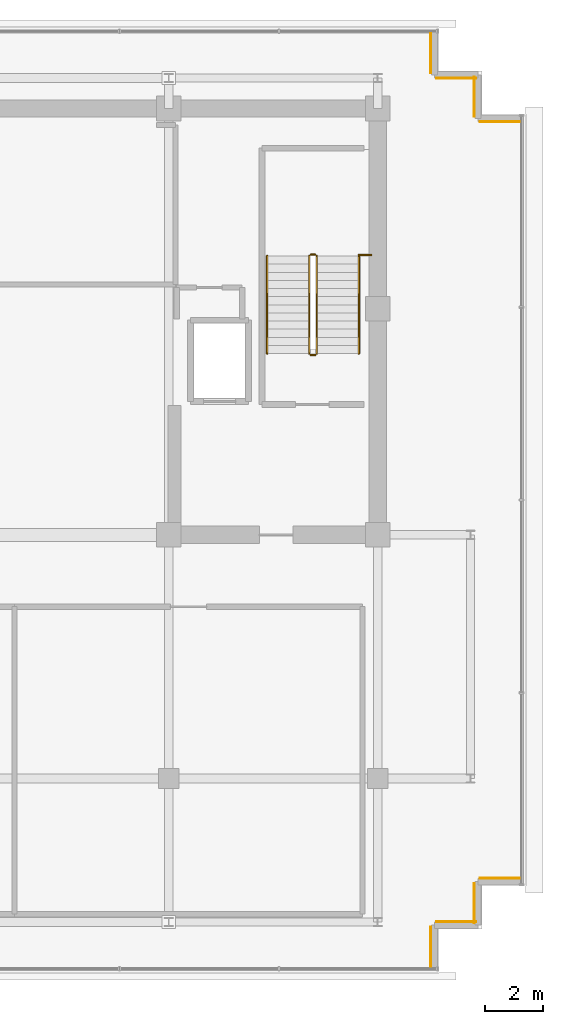
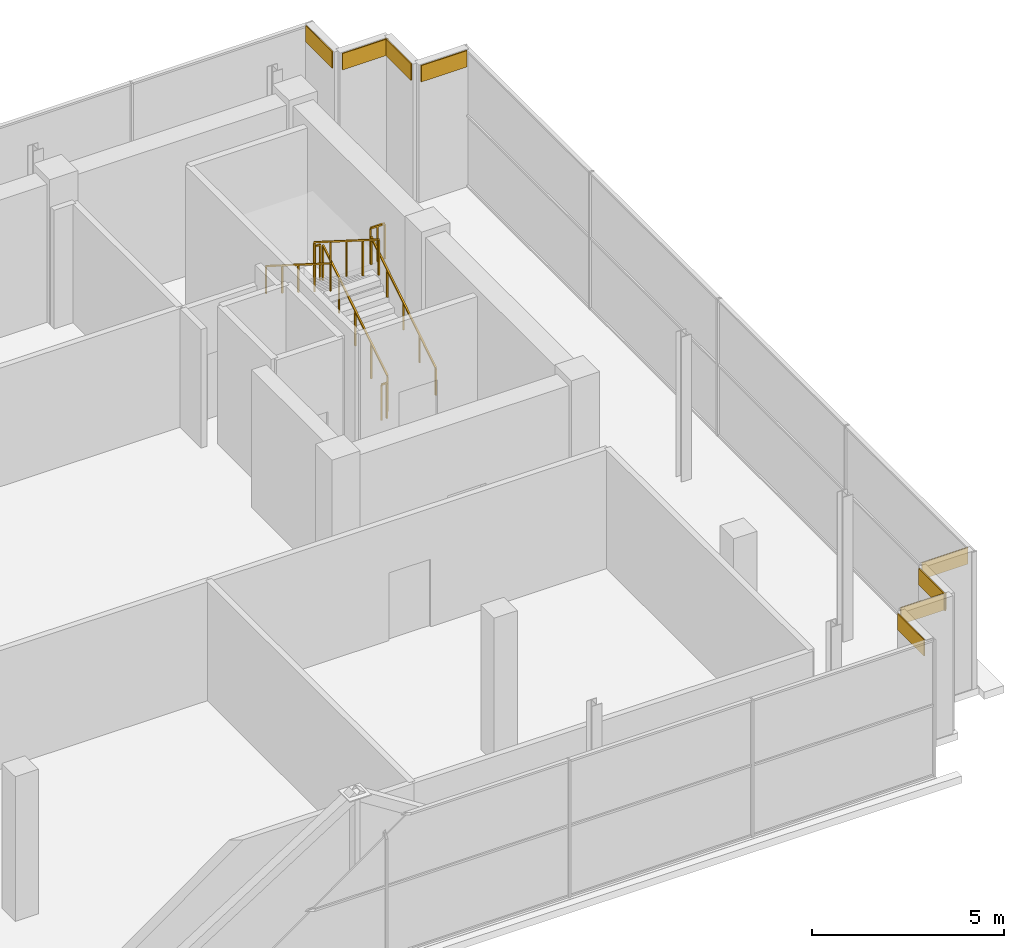
# One storey, part 26 of 26: 8 coverings, 7 railings.
"""IFC4 building model written with IfcOpenShell, lengths in metres."""

from ifc_helpers import new_model, si_unit, direction, frame, origin, origin_2d, place, context, subcontext, project, spatial, rectangle, extrude, source, transform, mapped, material, layer, layer_set, type_object, element, save


model = new_model("IFC4")

# Units and contexts
model_context = context("Model", 3, precision=1e-05, world=origin(), true_north=direction((0.0, 1.0)))
body_context = subcontext(model_context, "Body", "Model", "MODEL_VIEW")
ifc_project = project(units=[si_unit("LENGTHUNIT", "METRE"), si_unit("AREAUNIT", "SQUARE_METRE"), si_unit("VOLUMEUNIT", "CUBIC_METRE"), si_unit("PLANEANGLEUNIT", "RADIAN"), si_unit("MASSUNIT", "GRAM", prefix="KILO")], contexts=[model_context])

# Site, building, storey
site_placement = place(None, origin())
site = spatial("IfcSite", under=ifc_project, at=site_placement, CompositionType="ELEMENT")
building_placement = place(site_placement, origin())
building = spatial("IfcBuilding", under=site, at=building_placement, Name="Zarnakvel Exchange Tower", CompositionType="ELEMENT")
storey_placement = place(building_placement, frame((0.0, 0.0, 280.800048828125)))
storey = spatial("IfcBuildingStorey", under=building, at=storey_placement, Name="Crown L79", CompositionType="ELEMENT", Elevation=280.800048828125)

# Railings
ifc_material_1 = material(Name="Brushed Stainless Steel", Category="steel")
railing_type_1 = type_object("IfcRailingType", Name="HR-01", PredefinedType="HANDRAIL", material=ifc_material_1)
railing_1_placement = place(storey_placement, frame((13.75, 5.050048828125, 0.1767578125)))
element("IfcRailing", 1, at=railing_1_placement, inside=storey, type_object=railing_type_1, Name="Crown L79 ST-02 stair handrail 1", PredefinedType="HANDRAIL", context=body_context, shape_type="SweptSolid", body=[
    extrude(rectangle(XDim=0.048095703125, YDim=0.048095703125, at=origin_2d()), frame((0.0, 0.0, 0.8759765625), z_axis=(0.0, 0.845344368971, 0.534221768416), x_axis=(-1.0, 0.0, 0.0)), (0.0, 0.0, 1.0), 3.974609375),
    extrude(rectangle(XDim=0.0419921875, YDim=0.0419921875, at=origin_2d()), origin(), (0.0, 0.0, 1.0), 0.851806640625),
    extrude(rectangle(XDim=0.0419921875, YDim=0.0419921875, at=origin_2d()), frame((0.0, 0.83984375, 0.53076171875)), (0.0, 0.0, 1.0), 0.851806640625),
    extrude(rectangle(XDim=0.0419921875, YDim=0.0419921875, at=origin_2d()), frame((0.0, 1.679931640625, 1.0615234375)), (0.0, 0.0, 1.0), 0.851806640625),
    extrude(rectangle(XDim=0.0419921875, YDim=0.0419921875, at=origin_2d()), frame((0.0, 2.52001953125, 1.592529296875)), (0.0, 0.0, 1.0), 0.851806640625),
    extrude(rectangle(XDim=0.0419921875, YDim=0.0419921875, at=origin_2d()), frame((0.0, 3.35986328125, 2.123291015625)), (0.0, 0.0, 1.0), 0.851806640625),
])
railing_2_placement = place(storey_placement, frame((10.590087890625, 8.409912109375, 2.476806640625)))
element("IfcRailing", 2, at=railing_2_placement, inside=storey, type_object=railing_type_1, Name="Crown L79 ST-02 stair handrail 2", PredefinedType="HANDRAIL", context=body_context, shape_type="SweptSolid", body=[
    extrude(rectangle(XDim=0.048095703125, YDim=0.048095703125, at=origin_2d()), frame((0.0, 0.0, 0.8759765625), z_axis=(0.0, -0.845372108799, 0.534177870812), x_axis=(1.0, 0.0, 0.0)), (0.0, 0.0, 1.0), 3.974365234375),
    extrude(rectangle(XDim=0.0419921875, YDim=0.0419921875, at=origin_2d()), origin(), (0.0, 0.0, 1.0), 0.851806640625),
    extrude(rectangle(XDim=0.0419921875, YDim=0.0419921875, at=origin_2d()), frame((0.0, -0.83984375, 0.53076171875)), (0.0, 0.0, 1.0), 0.851806640625),
    extrude(rectangle(XDim=0.0419921875, YDim=0.0419921875, at=origin_2d()), frame((0.0, -1.679931640625, 1.0615234375)), (0.0, 0.0, 1.0), 0.851806640625),
    extrude(rectangle(XDim=0.0419921875, YDim=0.0419921875, at=origin_2d()), frame((0.0, -2.52001953125, 1.59228515625)), (0.0, 0.0, 1.0), 0.851806640625),
    extrude(rectangle(XDim=0.0419921875, YDim=0.0419921875, at=origin_2d()), frame((0.0, -3.35986328125, 2.123046875)), (0.0, 0.0, 1.0), 0.851806640625),
])
ifc_material_2 = material(Name="Architectural Bronze Anodised Aluminium", Category="aluminium")
railing_type_2 = type_object("IfcRailingType", Name="SG-01", PredefinedType="GUARDRAIL", material=ifc_material_2)
railing_3_placement = place(storey_placement, frame((12.300048828125, 5.050048828125, 0.1767578125)))
element("IfcRailing", 3, at=railing_3_placement, inside=storey, type_object=railing_type_2, Name="Crown L79 ST-02 stair guard 1", PredefinedType="GUARDRAIL", context=body_context, shape_type="SweptSolid", body=[
    extrude(rectangle(XDim=0.048095703125, YDim=0.048095703125, at=origin_2d()), frame((0.0, 0.0, 1.1259765625), z_axis=(0.0, 0.845344368971, 0.534221768416), x_axis=(-1.0, 0.0, 0.0)), (0.0, 0.0, 1.0), 3.974609375),
    extrude(rectangle(XDim=0.0419921875, YDim=0.0419921875, at=origin_2d()), origin(), (0.0, 0.0, 1.0), 1.101806640625),
    extrude(rectangle(XDim=0.0419921875, YDim=0.0419921875, at=origin_2d()), frame((0.0, 0.83984375, 0.53076171875)), (0.0, 0.0, 1.0), 1.101806640625),
    extrude(rectangle(XDim=0.0419921875, YDim=0.0419921875, at=origin_2d()), frame((0.0, 1.679931640625, 1.0615234375)), (0.0, 0.0, 1.0), 1.101806640625),
    extrude(rectangle(XDim=0.0419921875, YDim=0.0419921875, at=origin_2d()), frame((0.0, 2.52001953125, 1.592529296875)), (0.0, 0.0, 1.0), 1.101806640625),
    extrude(rectangle(XDim=0.0419921875, YDim=0.0419921875, at=origin_2d()), frame((0.0, 3.35986328125, 2.123291015625)), (0.0, 0.0, 1.0), 1.101806640625),
])
railing_4_placement = place(storey_placement, frame((12.25, 8.4599609375, 2.300048828125)))
element("IfcRailing", 4, at=railing_4_placement, inside=storey, type_object=railing_type_2, Name="Crown L79 ST-02 stair guard 2", PredefinedType="GUARDRAIL", context=body_context, shape_type="SweptSolid", body=[
    extrude(rectangle(XDim=0.048095703125, YDim=0.048095703125, at=origin_2d()), frame((0.0, 0.0, 1.1259765625), z_axis=(-1.0, 0.0, 0.0), x_axis=(0.0, -1.0, 0.0)), (0.0, 0.0, 1.0), 0.159912109375),
    extrude(rectangle(XDim=0.0419921875, YDim=0.0419921875, at=origin_2d()), origin(), (0.0, 0.0, 1.0), 1.101806640625),
    extrude(rectangle(XDim=0.0419921875, YDim=0.0419921875, at=origin_2d()), frame((-0.159912109375, 0.0, 0.0)), (0.0, 0.0, 1.0), 1.101806640625),
])
railing_5_placement = place(storey_placement, frame((12.0400390625, 8.409912109375, 2.476806640625)))
element("IfcRailing", 5, at=railing_5_placement, inside=storey, type_object=railing_type_2, Name="Crown L79 ST-02 stair guard 3", PredefinedType="GUARDRAIL", context=body_context, shape_type="SweptSolid", body=[
    extrude(rectangle(XDim=0.048095703125, YDim=0.048095703125, at=origin_2d()), frame((0.0, 0.0, 1.1259765625), z_axis=(0.0, -0.845372108799, 0.534177870812), x_axis=(1.0, 0.0, 0.0)), (0.0, 0.0, 1.0), 3.974365234375),
    extrude(rectangle(XDim=0.0419921875, YDim=0.0419921875, at=origin_2d()), origin(), (0.0, 0.0, 1.0), 1.101806640625),
    extrude(rectangle(XDim=0.0419921875, YDim=0.0419921875, at=origin_2d()), frame((0.0, -0.83984375, 0.53076171875)), (0.0, 0.0, 1.0), 1.101806640625),
    extrude(rectangle(XDim=0.0419921875, YDim=0.0419921875, at=origin_2d()), frame((0.0, -1.679931640625, 1.0615234375)), (0.0, 0.0, 1.0), 1.101806640625),
    extrude(rectangle(XDim=0.0419921875, YDim=0.0419921875, at=origin_2d()), frame((0.0, -2.52001953125, 1.59228515625)), (0.0, 0.0, 1.0), 1.101806640625),
    extrude(rectangle(XDim=0.0419921875, YDim=0.0419921875, at=origin_2d()), frame((0.0, -3.35986328125, 2.123046875)), (0.0, 0.0, 1.0), 1.101806640625),
])
railing_6_placement = place(storey_placement, frame((12.25, 5.0, 0.0)))
element("IfcRailing", 6, at=railing_6_placement, inside=storey, type_object=railing_type_2, Name="Crown L79 ST-02 stair guard 4", PredefinedType="GUARDRAIL", context=body_context, shape_type="SweptSolid", body=[
    extrude(rectangle(XDim=0.048095703125, YDim=0.048095703125, at=origin_2d()), frame((0.0, 0.0, 1.1259765625), z_axis=(-1.0, 0.0, 0.0), x_axis=(0.0, -1.0, 0.0)), (0.0, 0.0, 1.0), 0.159912109375),
    extrude(rectangle(XDim=0.0419921875, YDim=0.0419921875, at=origin_2d()), origin(), (0.0, 0.0, 1.0), 1.101806640625),
    extrude(rectangle(XDim=0.0419921875, YDim=0.0419921875, at=origin_2d()), frame((-0.159912109375, 0.0, 0.0)), (0.0, 0.0, 1.0), 1.101806640625),
])
railing_7_placement = place(storey_placement, frame((13.75, 8.449951171875, 2.300048828125)))
element("IfcRailing", 7, at=railing_7_placement, inside=storey, type_object=railing_type_2, Name="Crown L79 ST-02 Landing Slot Guardrail", PredefinedType="GUARDRAIL", context=body_context, shape_type="SweptSolid", body=[
    extrude(rectangle(XDim=0.048095703125, YDim=0.048095703125, at=origin_2d()), frame((0.0, 0.0, 1.1259765625), z_axis=(1.0, 0.0, 0.0), x_axis=(0.0, 1.0, 0.0)), (0.0, 0.0, 1.0), 0.429931640625),
    extrude(rectangle(XDim=0.0419921875, YDim=0.0419921875, at=origin_2d()), origin(), (0.0, 0.0, 1.0), 1.101806640625),
    extrude(rectangle(XDim=0.0419921875, YDim=0.0419921875, at=origin_2d()), frame((0.21484375, 0.0, 0.0)), (0.0, 0.0, 1.0), 1.101806640625),
    extrude(rectangle(XDim=0.0419921875, YDim=0.0419921875, at=origin_2d()), frame((0.429931640625, 0.0, 0.0)), (0.0, 0.0, 1.0), 1.101806640625),
])

# Coverings
ifc_material_3 = material(Name="Warm Sandstone Terracotta Spandrel Tile", Category="masonry")
ifc_layer = layer(ifc_material_3, 0.031982421875)
ifc_layer_set = layer_set([ifc_layer], Name="Warm Sandstone Terracotta Spandrel Tile")
covering_type = type_object("IfcCoveringType", Name="CL-02", PredefinedType="CLADDING", material=ifc_layer_set)
shared_shape = source(origin(), body_context, "Body", "SweptSolid", [
    extrude(rectangle(XDim=1.3798828125, YDim=0.031982421875, at=origin_2d()), origin(), (0.0, 0.0, 1.0), 0.52001953125),
])
for number, where, z_axis, x_axis, name in (
    (8, (16.236083984375, 15.409912109375, 3.83984375), (0.0, 0.0, 1.0), (0.0, 1.0, 0.0), "Crown L79 Ceramic Spandrel Tilework CL-02"),
    (9, (17.110107421875, 14.535888671875, 3.83984375), (0.0, 0.0, 1.0), (-1.0, 0.0, 0.0), "Crown L79 Ceramic Spandrel Tilework CL-02"),
    (10, (17.736083984375, 13.909912109375, 3.83984375), (0.0, 0.0, 1.0), (0.0, 1.0, 0.0), "Crown L79 Ceramic Spandrel Tilework CL-02"),
    (11, (18.610107421875, 13.035888671875, 3.83984375), (0.0, 0.0, 1.0), (-1.0, 0.0, 0.0), "Crown L79 Ceramic Spandrel Tilework CL-02"),
    (12, (18.610107421875, -13.035888671875, 3.83984375), (0.0, 0.0, 1.0), (1.0, 0.0, 0.0), "Crown L79 Ceramic Spandrel Tilework CL-02"),
    (13, (17.736083984375, -13.909912109375, 3.83984375), (0.0, 0.0, 1.0), (0.0, 1.0, 0.0), "Crown L79 Ceramic Spandrel Tilework CL-02"),
    (14, (17.110107421875, -14.535888671875, 3.83984375), (0.0, 0.0, 1.0), (1.0, 0.0, 0.0), "Crown L79 Ceramic Spandrel Tilework CL-02"),
    (15, (16.236083984375, -15.409912109375, 3.83984375), (0.0, 0.0, 1.0), (0.0, 1.0, 0.0), "Crown L79 Ceramic Spandrel Tilework CL-02"),
):
    element("IfcCovering", number, at=place(storey_placement, frame(where, z_axis=z_axis, x_axis=x_axis)), inside=storey, type_object=covering_type, Name=name, PredefinedType="CLADDING", context=body_context, shape_type="MappedRepresentation", body=[
        mapped(shared_shape, transform((0.0, 0.0, 0.0), x_axis=(1.0, 0.0, 0.0), y_axis=(0.0, 1.0, 0.0), z_axis=(0.0, 0.0, 1.0), scale=1.0)),
    ])

save(model, "model.ifc")
